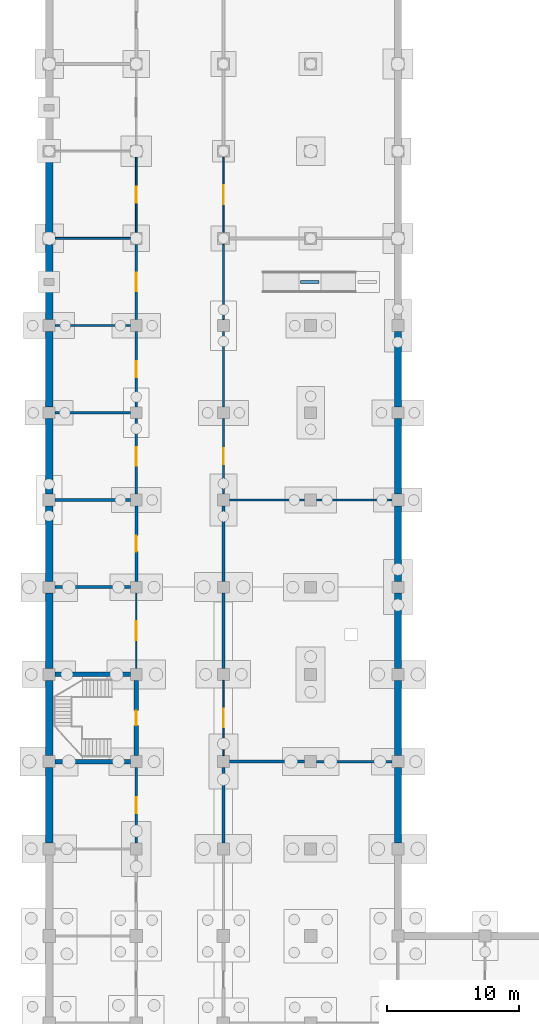
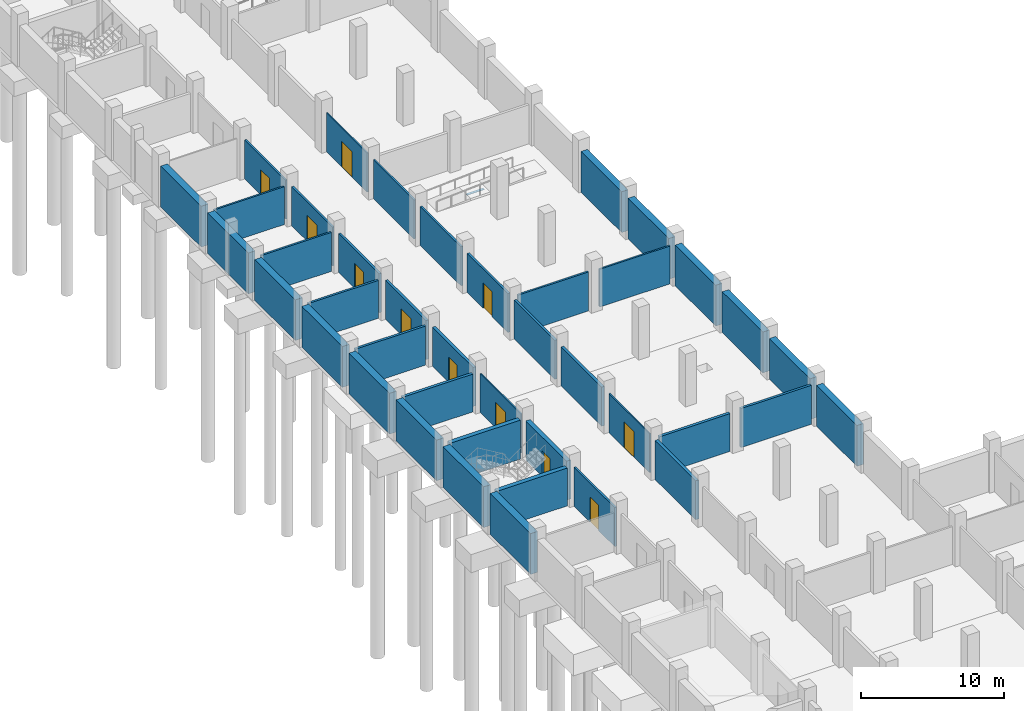
# One storey, part 12 of 18: 42 walls, 11 doors, 11 openings.
"""IFC4 building model written with IfcOpenShell, lengths in metres."""

from ifc_helpers import new_model, si_unit, direction, frame, frame_2d, origin, place, context, subcontext, project, spatial, rectangle, extrude, material, layer, layer_set, type_object, element, fill, save


model = new_model("IFC4")

# Units and contexts
model_context = context("Model", 3, precision=1e-05, world=origin(), true_north=direction((0.0, 1.0)))
body_context = subcontext(model_context, "Body", "Model", "MODEL_VIEW")
ifc_project = project(units=[si_unit("LENGTHUNIT", "METRE"), si_unit("AREAUNIT", "SQUARE_METRE"), si_unit("VOLUMEUNIT", "CUBIC_METRE"), si_unit("PLANEANGLEUNIT", "RADIAN"), si_unit("MASSUNIT", "GRAM", prefix="KILO")], contexts=[model_context])

# Site, building, storey
site_placement = place(None, origin())
site = spatial("IfcSite", under=ifc_project, at=site_placement, CompositionType="ELEMENT")
building_placement = place(site_placement, origin())
building = spatial("IfcBuilding", under=site, at=building_placement, Name="Rusizi Kubbe Research Institute", CompositionType="ELEMENT")
storey_placement = place(building_placement, frame((0.0, 0.0, -4.5)))
storey = spatial("IfcBuildingStorey", under=building, at=storey_placement, Name="B01", CompositionType="ELEMENT", Elevation=-4.5)

# Walls
ifc_material_1 = material(Name="Concrete C45/55", Category="concrete")
ifc_layer_1 = layer(ifc_material_1, 0.35009765625)
ifc_layer_set_1 = layer_set([ifc_layer_1], Name="Concrete C45/55")
wall_type_1 = type_object("IfcWallType", Name="CRW-01", PredefinedType="SHEAR", material=ifc_layer_set_1)
wall_1_placement = place(storey_placement, frame((0.449951171875, 66.0, 0.0), z_axis=(0.0, 0.0, 1.0), x_axis=(1.0, 0.0, 0.0)))
element("IfcWall", 1, at=wall_1_placement, inside=storey, type_object=wall_type_1, Name="Stair Core Shear Wall ST5 B01 S", PredefinedType="SHEAR", context=body_context, shape_type="SweptSolid", body=[
    extrude(rectangle(XDim=5.699951171875, YDim=0.35009765625, at=frame_2d((2.85009765625, 0.0))), origin(), (0.0, 0.0, 1.0), 3.239990234375),
])
wall_2_placement = place(storey_placement, frame((0.449951171875, 72.60009765625, 0.0), z_axis=(0.0, 0.0, 1.0), x_axis=(1.0, 0.0, 0.0)))
element("IfcWall", 2, at=wall_2_placement, inside=storey, type_object=wall_type_1, Name="Stair Core Shear Wall ST5 B01 N", PredefinedType="SHEAR", context=body_context, shape_type="SweptSolid", body=[
    extrude(rectangle(XDim=5.699951171875, YDim=0.35009765625, at=frame_2d((2.85009765625, 0.0))), origin(), (0.0, 0.0, 1.0), 3.340087890625),
])

# Wall, opening, door
wall_3_placement = place(storey_placement, frame((6.60009765625, 66.449951171875, 0.0), z_axis=(0.0, 0.0, 1.0), x_axis=(0.0, 1.0, 0.0)))
wall_3 = element("IfcWall", 3, at=wall_3_placement, inside=storey, type_object=wall_type_1, Name="Stair Core Shear Wall ST5 B01 E", PredefinedType="SHEAR", context=body_context, shape_type="SweptSolid", body=[
    extrude(rectangle(XDim=5.699951171875, YDim=0.35009765625, at=frame_2d((2.85009765625, 0.0))), origin(), (0.0, 0.0, 1.0), 3.340087890625),
])
opening_1_placement = place(wall_3_placement, frame((2.300048828125, 0.0, 0.0)))
opening_1 = element("IfcOpeningElement", 4, at=opening_1_placement, cuts=wall_3, Name="Opening D-01", PredefinedType="OPENING", context=body_context, shape_type="SweptSolid", body=[
    extrude(rectangle(XDim=1.10009765625, YDim=2.14990234375, at=frame_2d((0.550048828125, 1.074951171875))), frame((0.0, 0.18505859375, 0.0), z_axis=(0.0, -1.0, 0.0), x_axis=(1.0, 0.0, 0.0)), (0.0, 0.0, 1.0), 0.3701171875),
])
ifc_material_2 = material(Name="Fire-Rated Steel Frame and Acoustic Timber Leaf", Category="wood")
door_type_1 = type_object("IfcDoorType", Name="ID-STAIR-110", OperationType="NOTDEFINED", PredefinedType="DOOR", material=ifc_material_2)
door_1_placement = place(opening_1_placement, origin())
door_1 = element("IfcDoor", 5, at=door_1_placement, inside=storey, type_object=door_type_1, Name="Exit Stair Door ST5 B01", OperationType="SINGLE_SWING_LEFT", OverallHeight=2.14990234375, OverallWidth=1.10009765625, PredefinedType="DOOR", context=body_context, shape_type="SweptSolid", body=[
    extrude(rectangle(XDim=1.10009765625, YDim=2.14990234375, at=frame_2d((0.550048828125, 1.074951171875))), frame((0.0, 0.02490234375, 0.0), z_axis=(0.0, -1.0, 0.0), x_axis=(1.0, 0.0, 0.0)), (0.0, 0.0, 1.0), 0.050048828125),
])
fill(opening_1, door_1)

# Wall
ifc_material_3 = material(Name="Concrete Blockwork Fire Partition", Category="masonry")
ifc_layer_2 = layer(ifc_material_3, 0.22509765625)
ifc_layer_set_2 = layer_set([ifc_layer_2], Name="Concrete Blockwork Fire Partition")
wall_type_2 = type_object("IfcWallType", Name="IW-01", PredefinedType="PARTITIONING", material=ifc_layer_set_2)
wall_4_placement = place(storey_placement, frame((0.449951171875, 79.199951171875, 0.0), z_axis=(0.0, 0.0, 1.0), x_axis=(1.0, 0.0, 0.0)))
element("IfcWall", 6, at=wall_4_placement, inside=storey, type_object=wall_type_2, Name="Interior Partition Wall B01 H0-12", PredefinedType="PARTITIONING", context=body_context, shape_type="SweptSolid", body=[
    extrude(rectangle(XDim=5.699951171875, YDim=0.22509765625, at=frame_2d((2.85009765625, 0.0))), origin(), (0.0, 0.0, 1.0), 3.239990234375),
])

# Wall, opening, door
wall_5_placement = place(storey_placement, frame((6.60009765625, 79.64990234375, 0.0), z_axis=(0.0, 0.0, 1.0), x_axis=(0.0, 1.0, 0.0)))
wall_5 = element("IfcWall", 7, at=wall_5_placement, inside=storey, type_object=wall_type_2, Name="Interior Partition Wall B01 V1-12", PredefinedType="PARTITIONING", context=body_context, shape_type="SweptSolid", body=[
    extrude(rectangle(XDim=5.7001953125, YDim=0.22509765625, at=frame_2d((2.85009765625, 0.0))), origin(), (0.0, 0.0, 1.0), 3.340087890625),
])
opening_2_placement = place(wall_5_placement, frame((2.239990234375, 0.0, 0.0)))
opening_2 = element("IfcOpeningElement", 8, at=opening_2_placement, cuts=wall_5, Name="Opening D-21", PredefinedType="OPENING", context=body_context, shape_type="SweptSolid", body=[
    extrude(rectangle(XDim=1.219970703125, YDim=2.14990234375, at=frame_2d((0.60986328125, 1.074951171875))), frame((0.0, 0.12255859375, 0.0), z_axis=(0.0, -1.0, 0.0), x_axis=(1.0, 0.0, 0.0)), (0.0, 0.0, 1.0), 0.2451171875),
])
ifc_material_4 = material(Name="Fire-Rated Steel Frame and Acoustic Timber Leaf", Category="wood")
door_type_2 = type_object("IfcDoorType", Name="ID-STR-122", OperationType="NOTDEFINED", PredefinedType="DOOR", material=ifc_material_4)
door_2_placement = place(opening_2_placement, origin())
door_2 = element("IfcDoor", 9, at=door_2_placement, inside=storey, type_object=door_type_2, Name="Door to Sub-Fab Chiller and Pump Plant Room (B01-B01W-12)", OperationType="SINGLE_SWING_RIGHT", OverallHeight=2.14990234375, OverallWidth=1.219970703125, PredefinedType="DOOR", context=body_context, shape_type="SweptSolid", body=[
    extrude(rectangle(XDim=1.219970703125, YDim=2.14990234375, at=frame_2d((0.60986328125, 1.074951171875))), frame((0.0, 0.02490234375, 0.0), z_axis=(0.0, -1.0, 0.0), x_axis=(1.0, 0.0, 0.0)), (0.0, 0.0, 1.0), 0.050048828125),
])
fill(opening_2, door_2)

# Walls
wall_6_placement = place(storey_placement, frame((13.199951171875, 73.050048828125, 0.0), z_axis=(0.0, 0.0, 1.0), x_axis=(0.0, 1.0, 0.0)))
element("IfcWall", 10, at=wall_6_placement, inside=storey, type_object=wall_type_2, Name="Interior Partition Wall B01 V2-11", PredefinedType="PARTITIONING", context=body_context, shape_type="SweptSolid", body=[
    extrude(rectangle(XDim=5.699951171875, YDim=0.22509765625, at=frame_2d((2.85009765625, 0.0))), origin(), (0.0, 0.0, 1.0), 3.340087890625),
])
wall_7_placement = place(storey_placement, frame((13.64990234375, 66.0, 0.0), z_axis=(0.0, 0.0, 1.0), x_axis=(1.0, 0.0, 0.0)))
element("IfcWall", 11, at=wall_7_placement, inside=storey, type_object=wall_type_2, Name="Interior Partition Wall B01 H2-10", PredefinedType="PARTITIONING", context=body_context, shape_type="SweptSolid", body=[
    extrude(rectangle(XDim=5.7001953125, YDim=0.22509765625, at=frame_2d((2.85009765625, 0.0))), origin(), (0.0, 0.0, 1.0), 3.239990234375),
])
ifc_material_5 = material(Name="Insulated Cleanroom Partition", Category="masonry")
ifc_layer_3 = layer(ifc_material_5, 0.195068359375)
ifc_layer_set_3 = layer_set([ifc_layer_3], Name="Insulated Cleanroom Partition")
wall_type_3 = type_object("IfcWallType", Name="IW-02", PredefinedType="PARTITIONING", material=ifc_layer_set_3)
wall_8_placement = place(storey_placement, frame((0.449951171875, 85.800048828125, 0.0), z_axis=(0.0, 0.0, 1.0), x_axis=(1.0, 0.0, 0.0)))
element("IfcWall", 12, at=wall_8_placement, inside=storey, type_object=wall_type_3, Name="Interior Partition Wall B01 H0-13", PredefinedType="PARTITIONING", context=body_context, shape_type="SweptSolid", body=[
    extrude(rectangle(XDim=5.699951171875, YDim=0.195068359375, at=frame_2d((2.85009765625, 0.0))), origin(), (0.0, 0.0, 1.0), 3.340087890625),
])

# Wall, opening, door
wall_9_placement = place(storey_placement, frame((6.60009765625, 86.25, 0.0), z_axis=(0.0, 0.0, 1.0), x_axis=(0.0, 1.0, 0.0)))
wall_9 = element("IfcWall", 13, at=wall_9_placement, inside=storey, type_object=wall_type_3, Name="Interior Partition Wall B01 V1-13", PredefinedType="PARTITIONING", context=body_context, shape_type="SweptSolid", body=[
    extrude(rectangle(XDim=5.699951171875, YDim=0.195068359375, at=frame_2d((2.85009765625, 0.0))), origin(), (0.0, 0.0, 1.0), 3.340087890625),
])
opening_3_placement = place(wall_9_placement, frame((2.139892578125, 0.0, 0.0)))
opening_3 = element("IfcOpeningElement", 14, at=opening_3_placement, cuts=wall_9, Name="Opening D-22", PredefinedType="OPENING", context=body_context, shape_type="SweptSolid", body=[
    extrude(rectangle(XDim=1.419921875, YDim=2.199951171875, at=frame_2d((0.7099609375, 1.10009765625))), frame((0.0, 0.107421875, 0.0), z_axis=(0.0, -1.0, 0.0), x_axis=(1.0, 0.0, 0.0)), (0.0, 0.0, 1.0), 0.215087890625),
])
ifc_material_6 = material(Name="Fire-Rated Steel Frame and Acoustic Timber Leaf", Category="wood")
door_type_3 = type_object("IfcDoorType", Name="ID-STR-142", OperationType="DOUBLE_DOOR_SINGLE_SWING", PredefinedType="DOOR", material=ifc_material_6)
door_3_placement = place(opening_3_placement, origin())
door_3 = element("IfcDoor", 15, at=door_3_placement, inside=storey, type_object=door_type_3, Name="Door to Sub-Fab Chiller and Pump Plant Room (B01-B01W-13)", OperationType="DOUBLE_DOOR_SINGLE_SWING", OverallHeight=2.199951171875, OverallWidth=1.419921875, PredefinedType="DOOR", context=body_context, shape_type="SweptSolid", body=[
    extrude(rectangle(XDim=1.419921875, YDim=2.199951171875, at=frame_2d((0.7099609375, 1.10009765625))), frame((0.0, 0.02490234375, 0.0), z_axis=(0.0, -1.0, 0.0), x_axis=(1.0, 0.0, 0.0)), (0.0, 0.0, 1.0), 0.050048828125),
])
fill(opening_3, door_3)

# Walls
wall_10_placement = place(storey_placement, frame((13.199951171875, 79.64990234375, 0.0), z_axis=(0.0, 0.0, 1.0), x_axis=(0.0, 1.0, 0.0)))
element("IfcWall", 16, at=wall_10_placement, inside=storey, type_object=wall_type_3, Name="Interior Partition Wall B01 V2-12", PredefinedType="PARTITIONING", context=body_context, shape_type="SweptSolid", body=[
    extrude(rectangle(XDim=5.7001953125, YDim=0.195068359375, at=frame_2d((2.85009765625, 0.0))), origin(), (0.0, 0.0, 1.0), 3.340087890625),
])
wall_11_placement = place(storey_placement, frame((20.25, 66.0, 0.0), z_axis=(0.0, 0.0, 1.0), x_axis=(1.0, 0.0, 0.0)))
element("IfcWall", 17, at=wall_11_placement, inside=storey, type_object=wall_type_3, Name="Interior Partition Wall B01 H3-10", PredefinedType="PARTITIONING", context=body_context, shape_type="SweptSolid", body=[
    extrude(rectangle(XDim=5.699951171875, YDim=0.195068359375, at=frame_2d((2.85009765625, 0.0))), origin(), (0.0, 0.0, 1.0), 3.340087890625),
])
ifc_material_7 = material(Name="Acoustic Laboratory Partition", Category="masonry")
ifc_layer_4 = layer(ifc_material_7, 0.175048828125)
ifc_layer_set_4 = layer_set([ifc_layer_4], Name="Acoustic Laboratory Partition")
wall_type_4 = type_object("IfcWallType", Name="IW-03", PredefinedType="PARTITIONING", material=ifc_layer_set_4)
wall_12_placement = place(storey_placement, frame((0.449951171875, 92.39990234375, 0.0), z_axis=(0.0, 0.0, 1.0), x_axis=(1.0, 0.0, 0.0)))
element("IfcWall", 18, at=wall_12_placement, inside=storey, type_object=wall_type_4, Name="Interior Partition Wall B01 H0-14", PredefinedType="PARTITIONING", context=body_context, shape_type="SweptSolid", body=[
    extrude(rectangle(XDim=5.699951171875, YDim=0.175048828125, at=frame_2d((2.85009765625, 0.0))), origin(), (0.0, 0.0, 1.0), 3.239990234375),
])

# Wall, opening, door
wall_13_placement = place(storey_placement, frame((6.60009765625, 92.85009765625, 0.0), z_axis=(0.0, 0.0, 1.0), x_axis=(0.0, 1.0, 0.0)))
wall_13 = element("IfcWall", 19, at=wall_13_placement, inside=storey, type_object=wall_type_4, Name="Interior Partition Wall B01 V1-14", PredefinedType="PARTITIONING", context=body_context, shape_type="SweptSolid", body=[
    extrude(rectangle(XDim=5.699951171875, YDim=0.175048828125, at=frame_2d((2.85009765625, 0.0))), origin(), (0.0, 0.0, 1.0), 3.340087890625),
])
opening_4_placement = place(wall_13_placement, frame((2.239990234375, 0.0, 0.0)))
opening_4 = element("IfcOpeningElement", 20, at=opening_4_placement, cuts=wall_13, Name="Opening D-21", PredefinedType="OPENING", context=body_context, shape_type="SweptSolid", body=[
    extrude(rectangle(XDim=1.219970703125, YDim=2.14990234375, at=frame_2d((0.60986328125, 1.074951171875))), frame((0.0, 0.097412109375, 0.0), z_axis=(0.0, -1.0, 0.0), x_axis=(1.0, 0.0, 0.0)), (0.0, 0.0, 1.0), 0.195068359375),
])
door_4_placement = place(opening_4_placement, origin())
door_4 = element("IfcDoor", 21, at=door_4_placement, inside=storey, type_object=door_type_2, Name="Door to Staff and Accessible Parking Zone (B01-B01W-14)", OperationType="SINGLE_SWING_RIGHT", OverallHeight=2.14990234375, OverallWidth=1.219970703125, PredefinedType="DOOR", context=body_context, shape_type="SweptSolid", body=[
    extrude(rectangle(XDim=1.219970703125, YDim=2.14990234375, at=frame_2d((0.60986328125, 1.074951171875))), frame((0.0, 0.02490234375, 0.0), z_axis=(0.0, -1.0, 0.0), x_axis=(1.0, 0.0, 0.0)), (0.0, 0.0, 1.0), 0.050048828125),
])
fill(opening_4, door_4)

wall_14_placement = place(storey_placement, frame((13.199951171875, 86.25, 0.0), z_axis=(0.0, 0.0, 1.0), x_axis=(0.0, 1.0, 0.0)))
wall_14 = element("IfcWall", 22, at=wall_14_placement, inside=storey, type_object=wall_type_4, Name="Interior Partition Wall B01 V2-13", PredefinedType="PARTITIONING", context=body_context, shape_type="SweptSolid", body=[
    extrude(rectangle(XDim=5.699951171875, YDim=0.175048828125, at=frame_2d((2.85009765625, 0.0))), origin(), (0.0, 0.0, 1.0), 3.340087890625),
])
opening_5_placement = place(wall_14_placement, frame((2.239990234375, 0.0, 0.0)))
opening_5 = element("IfcOpeningElement", 23, at=opening_5_placement, cuts=wall_14, Name="Opening D-21", PredefinedType="OPENING", context=body_context, shape_type="SweptSolid", body=[
    extrude(rectangle(XDim=1.219970703125, YDim=2.14990234375, at=frame_2d((0.60986328125, 1.074951171875))), frame((0.0, 0.097412109375, 0.0), z_axis=(0.0, -1.0, 0.0), x_axis=(1.0, 0.0, 0.0)), (0.0, 0.0, 1.0), 0.195068359375),
])
door_5_placement = place(opening_5_placement, origin())
door_5 = element("IfcDoor", 24, at=door_5_placement, inside=storey, type_object=door_type_2, Name="Door to Basement Vehicle Parking Hall (B01-NW-05)", OperationType="SINGLE_SWING_RIGHT", OverallHeight=2.14990234375, OverallWidth=1.219970703125, PredefinedType="DOOR", context=body_context, shape_type="SweptSolid", body=[
    extrude(rectangle(XDim=1.219970703125, YDim=2.14990234375, at=frame_2d((0.60986328125, 1.074951171875))), frame((0.0, 0.02490234375, 0.0), z_axis=(0.0, -1.0, 0.0), x_axis=(1.0, 0.0, 0.0)), (0.0, 0.0, 1.0), 0.050048828125),
])
fill(opening_5, door_5)

ifc_material_8 = material(Name="Fire-Rated Corridor Partition", Category="masonry")
ifc_layer_5 = layer(ifc_material_8, 0.155029296875)
ifc_layer_set_5 = layer_set([ifc_layer_5], Name="Fire-Rated Corridor Partition")
wall_type_5 = type_object("IfcWallType", Name="IW-04", PredefinedType="PARTITIONING", material=ifc_layer_set_5)
wall_15_placement = place(storey_placement, frame((6.60009765625, 59.85009765625, 0.0), z_axis=(0.0, 0.0, 1.0), x_axis=(0.0, 1.0, 0.0)))
wall_15 = element("IfcWall", 25, at=wall_15_placement, inside=storey, type_object=wall_type_5, Name="Interior Partition Wall B01 V1-9", PredefinedType="PARTITIONING", context=body_context, shape_type="SweptSolid", body=[
    extrude(rectangle(XDim=5.699951171875, YDim=0.155029296875, at=frame_2d((2.85009765625, 0.0))), origin(), (0.0, 0.0, 1.0), 3.340087890625),
])
opening_6_placement = place(wall_15_placement, frame((2.239990234375, 0.0, 0.0)))
opening_6 = element("IfcOpeningElement", 26, at=opening_6_placement, cuts=wall_15, Name="Opening D-21", PredefinedType="OPENING", context=body_context, shape_type="SweptSolid", body=[
    extrude(rectangle(XDim=1.219970703125, YDim=2.14990234375, at=frame_2d((0.60986328125, 1.074951171875))), frame((0.0, 0.08740234375, 0.0), z_axis=(0.0, -1.0, 0.0), x_axis=(1.0, 0.0, 0.0)), (0.0, 0.0, 1.0), 0.175048828125),
])
door_6_placement = place(opening_6_placement, origin())
door_6 = element("IfcDoor", 27, at=door_6_placement, inside=storey, type_object=door_type_2, Name="Door to Sub-Fab Chiller and Pump Plant Room (B01-B01W-09)", OperationType="SINGLE_SWING_RIGHT", OverallHeight=2.14990234375, OverallWidth=1.219970703125, PredefinedType="DOOR", context=body_context, shape_type="SweptSolid", body=[
    extrude(rectangle(XDim=1.219970703125, YDim=2.14990234375, at=frame_2d((0.60986328125, 1.074951171875))), frame((0.0, 0.02490234375, 0.0), z_axis=(0.0, -1.0, 0.0), x_axis=(1.0, 0.0, 0.0)), (0.0, 0.0, 1.0), 0.050048828125),
])
fill(opening_6, door_6)

# Wall
wall_16_placement = place(storey_placement, frame((0.449951171875, 99.0, 0.0), z_axis=(0.0, 0.0, 1.0), x_axis=(1.0, 0.0, 0.0)))
element("IfcWall", 28, at=wall_16_placement, inside=storey, type_object=wall_type_5, Name="Interior Partition Wall B01 H0-15", PredefinedType="PARTITIONING", context=body_context, shape_type="SweptSolid", body=[
    extrude(rectangle(XDim=5.699951171875, YDim=0.155029296875, at=frame_2d((2.85009765625, 0.0))), origin(), (0.0, 0.0, 1.0), 3.340087890625),
])

# Wall, opening, door
wall_17_placement = place(storey_placement, frame((6.60009765625, 99.449951171875, 0.0), z_axis=(0.0, 0.0, 1.0), x_axis=(0.0, 1.0, 0.0)))
wall_17 = element("IfcWall", 29, at=wall_17_placement, inside=storey, type_object=wall_type_5, Name="Interior Partition Wall B01 V1-15", PredefinedType="PARTITIONING", context=body_context, shape_type="SweptSolid", body=[
    extrude(rectangle(XDim=5.699951171875, YDim=0.155029296875, at=frame_2d((2.85009765625, 0.0))), origin(), (0.0, 0.0, 1.0), 3.340087890625),
])
opening_7_placement = place(wall_17_placement, frame((2.139892578125, 0.0, 0.0)))
opening_7 = element("IfcOpeningElement", 30, at=opening_7_placement, cuts=wall_17, Name="Opening D-22", PredefinedType="OPENING", context=body_context, shape_type="SweptSolid", body=[
    extrude(rectangle(XDim=1.419921875, YDim=2.199951171875, at=frame_2d((0.7099609375, 1.10009765625))), frame((0.0, 0.08740234375, 0.0), z_axis=(0.0, -1.0, 0.0), x_axis=(1.0, 0.0, 0.0)), (0.0, 0.0, 1.0), 0.175048828125),
])
door_7_placement = place(opening_7_placement, origin())
door_7 = element("IfcDoor", 31, at=door_7_placement, inside=storey, type_object=door_type_3, Name="Door to Staff and Accessible Parking Zone (B01-B01W-15)", OperationType="DOUBLE_DOOR_SINGLE_SWING", OverallHeight=2.199951171875, OverallWidth=1.419921875, PredefinedType="DOOR", context=body_context, shape_type="SweptSolid", body=[
    extrude(rectangle(XDim=1.419921875, YDim=2.199951171875, at=frame_2d((0.7099609375, 1.10009765625))), frame((0.0, 0.02490234375, 0.0), z_axis=(0.0, -1.0, 0.0), x_axis=(1.0, 0.0, 0.0)), (0.0, 0.0, 1.0), 0.050048828125),
])
fill(opening_7, door_7)

# Walls
wall_18_placement = place(storey_placement, frame((13.199951171875, 92.85009765625, 0.0), z_axis=(0.0, 0.0, 1.0), x_axis=(0.0, 1.0, 0.0)))
element("IfcWall", 32, at=wall_18_placement, inside=storey, type_object=wall_type_5, Name="Interior Partition Wall B01 V2-14", PredefinedType="PARTITIONING", context=body_context, shape_type="SweptSolid", body=[
    extrude(rectangle(XDim=5.699951171875, YDim=0.155029296875, at=frame_2d((2.85009765625, 0.0))), origin(), (0.0, 0.0, 1.0), 3.340087890625),
])
wall_19_placement = place(storey_placement, frame((13.64990234375, 85.800048828125, 0.0), z_axis=(0.0, 0.0, 1.0), x_axis=(1.0, 0.0, 0.0)))
element("IfcWall", 33, at=wall_19_placement, inside=storey, type_object=wall_type_5, Name="Interior Partition Wall B01 H2-13", PredefinedType="PARTITIONING", context=body_context, shape_type="SweptSolid", body=[
    extrude(rectangle(XDim=5.7001953125, YDim=0.155029296875, at=frame_2d((2.85009765625, 0.0))), origin(), (0.0, 0.0, 1.0), 3.340087890625),
])
ifc_material_9 = material(Name="Write-up Glazed Acoustic Partition", Category="masonry")
ifc_layer_6 = layer(ifc_material_9, 0.139892578125)
ifc_layer_set_6 = layer_set([ifc_layer_6], Name="Write-up Glazed Acoustic Partition")
wall_type_6 = type_object("IfcWallType", Name="IW-05", PredefinedType="PARTITIONING", material=ifc_layer_set_6)
wall_20_placement = place(storey_placement, frame((0.449951171875, 105.60009765625, 0.0), z_axis=(0.0, 0.0, 1.0), x_axis=(1.0, 0.0, 0.0)))
element("IfcWall", 34, at=wall_20_placement, inside=storey, type_object=wall_type_6, Name="Interior Partition Wall B01 H0-16", PredefinedType="PARTITIONING", context=body_context, shape_type="SweptSolid", body=[
    extrude(rectangle(XDim=5.699951171875, YDim=0.139892578125, at=frame_2d((2.85009765625, 0.0))), origin(), (0.0, 0.0, 1.0), 3.239990234375),
])

# Wall, opening, door
wall_21_placement = place(storey_placement, frame((6.60009765625, 106.050048828125, 0.0), z_axis=(0.0, 0.0, 1.0), x_axis=(0.0, 1.0, 0.0)))
wall_21 = element("IfcWall", 35, at=wall_21_placement, inside=storey, type_object=wall_type_6, Name="Interior Partition Wall B01 V1-16", PredefinedType="PARTITIONING", context=body_context, shape_type="SweptSolid", body=[
    extrude(rectangle(XDim=5.699951171875, YDim=0.139892578125, at=frame_2d((2.85009765625, 0.0))), origin(), (0.0, 0.0, 1.0), 3.340087890625),
])
opening_8_placement = place(wall_21_placement, frame((2.239990234375, 0.0, 0.0)))
opening_8 = element("IfcOpeningElement", 36, at=opening_8_placement, cuts=wall_21, Name="Opening D-21", PredefinedType="OPENING", context=body_context, shape_type="SweptSolid", body=[
    extrude(rectangle(XDim=1.219970703125, YDim=2.14990234375, at=frame_2d((0.60986328125, 1.074951171875))), frame((0.0, 0.079833984375, 0.0), z_axis=(0.0, -1.0, 0.0), x_axis=(1.0, 0.0, 0.0)), (0.0, 0.0, 1.0), 0.159912109375),
])
door_8_placement = place(opening_8_placement, origin())
door_8 = element("IfcDoor", 37, at=door_8_placement, inside=storey, type_object=door_type_2, Name="Door to Staff and Accessible Parking Zone (B01-B01W-16)", OperationType="SINGLE_SWING_RIGHT", OverallHeight=2.14990234375, OverallWidth=1.219970703125, PredefinedType="DOOR", context=body_context, shape_type="SweptSolid", body=[
    extrude(rectangle(XDim=1.219970703125, YDim=2.14990234375, at=frame_2d((0.60986328125, 1.074951171875))), frame((0.0, 0.02490234375, 0.0), z_axis=(0.0, -1.0, 0.0), x_axis=(1.0, 0.0, 0.0)), (0.0, 0.0, 1.0), 0.050048828125),
])
fill(opening_8, door_8)

# Walls
wall_22_placement = place(storey_placement, frame((13.199951171875, 99.449951171875, 0.0), z_axis=(0.0, 0.0, 1.0), x_axis=(0.0, 1.0, 0.0)))
element("IfcWall", 38, at=wall_22_placement, inside=storey, type_object=wall_type_6, Name="Interior Partition Wall B01 V2-15", PredefinedType="PARTITIONING", context=body_context, shape_type="SweptSolid", body=[
    extrude(rectangle(XDim=5.699951171875, YDim=0.139892578125, at=frame_2d((2.85009765625, 0.0))), origin(), (0.0, 0.0, 1.0), 3.340087890625),
])
wall_23_placement = place(storey_placement, frame((20.25, 85.800048828125, 0.0), z_axis=(0.0, 0.0, 1.0), x_axis=(1.0, 0.0, 0.0)))
element("IfcWall", 39, at=wall_23_placement, inside=storey, type_object=wall_type_6, Name="Interior Partition Wall B01 H3-13", PredefinedType="PARTITIONING", context=body_context, shape_type="SweptSolid", body=[
    extrude(rectangle(XDim=5.699951171875, YDim=0.139892578125, at=frame_2d((2.85009765625, 0.0))), origin(), (0.0, 0.0, 1.0), 3.239990234375),
])

# Wall, opening, door
ifc_material_10 = material(Name="Sub-Suite Fire Partition", Category="masonry")
ifc_layer_7 = layer(ifc_material_10, 0.110107421875)
ifc_layer_set_7 = layer_set([ifc_layer_7], Name="Sub-Suite Fire Partition")
wall_type_7 = type_object("IfcWallType", Name="IW-07", PredefinedType="PARTITIONING", material=ifc_layer_set_7)
wall_24_placement = place(storey_placement, frame((6.60009765625, 73.050048828125, 0.0), z_axis=(0.0, 0.0, 1.0), x_axis=(0.0, 1.0, 0.0)))
wall_24 = element("IfcWall", 40, at=wall_24_placement, inside=storey, type_object=wall_type_7, Name="Interior Partition Wall B01 V1-11", PredefinedType="PARTITIONING", context=body_context, shape_type="SweptSolid", body=[
    extrude(rectangle(XDim=5.699951171875, YDim=0.110107421875, at=frame_2d((2.85009765625, 0.0))), origin(), (0.0, 0.0, 1.0), 3.340087890625),
])
opening_9_placement = place(wall_24_placement, frame((2.139892578125, 0.0, 0.0)))
opening_9 = element("IfcOpeningElement", 41, at=opening_9_placement, cuts=wall_24, Name="Opening D-22", PredefinedType="OPENING", context=body_context, shape_type="SweptSolid", body=[
    extrude(rectangle(XDim=1.419921875, YDim=2.199951171875, at=frame_2d((0.7099609375, 1.10009765625))), frame((0.0, 0.06494140625, 0.0), z_axis=(0.0, -1.0, 0.0), x_axis=(1.0, 0.0, 0.0)), (0.0, 0.0, 1.0), 0.130126953125),
])
door_9_placement = place(opening_9_placement, origin())
door_9 = element("IfcDoor", 42, at=door_9_placement, inside=storey, type_object=door_type_3, Name="Door to Sub-Fab Chiller and Pump Plant Room (B01-B01W-11)", OperationType="DOUBLE_DOOR_SINGLE_SWING", OverallHeight=2.199951171875, OverallWidth=1.419921875, PredefinedType="DOOR", context=body_context, shape_type="SweptSolid", body=[
    extrude(rectangle(XDim=1.419921875, YDim=2.199951171875, at=frame_2d((0.7099609375, 1.10009765625))), frame((0.0, 0.02490234375, 0.0), z_axis=(0.0, -1.0, 0.0), x_axis=(1.0, 0.0, 0.0)), (0.0, 0.0, 1.0), 0.050048828125),
])
fill(opening_9, door_9)

wall_25_placement = place(storey_placement, frame((13.199951171875, 66.449951171875, 0.0), z_axis=(0.0, 0.0, 1.0), x_axis=(0.0, 1.0, 0.0)))
wall_25 = element("IfcWall", 43, at=wall_25_placement, inside=storey, type_object=wall_type_7, Name="Interior Partition Wall B01 V2-10", PredefinedType="PARTITIONING", context=body_context, shape_type="SweptSolid", body=[
    extrude(rectangle(XDim=5.699951171875, YDim=0.110107421875, at=frame_2d((2.85009765625, 0.0))), origin(), (0.0, 0.0, 1.0), 3.340087890625),
])
opening_10_placement = place(wall_25_placement, frame((2.139892578125, 0.0, 0.0)))
opening_10 = element("IfcOpeningElement", 44, at=opening_10_placement, cuts=wall_25, Name="Opening D-22", PredefinedType="OPENING", context=body_context, shape_type="SweptSolid", body=[
    extrude(rectangle(XDim=1.419921875, YDim=2.199951171875, at=frame_2d((0.7099609375, 1.10009765625))), frame((0.0, 0.06494140625, 0.0), z_axis=(0.0, -1.0, 0.0), x_axis=(1.0, 0.0, 0.0)), (0.0, 0.0, 1.0), 0.130126953125),
])
door_10_placement = place(opening_10_placement, origin())
door_10 = element("IfcDoor", 45, at=door_10_placement, inside=storey, type_object=door_type_3, Name="Door to Basement Vehicle Parking Hall (B01-NW-04)", OperationType="DOUBLE_DOOR_SINGLE_SWING", OverallHeight=2.199951171875, OverallWidth=1.419921875, PredefinedType="DOOR", context=body_context, shape_type="SweptSolid", body=[
    extrude(rectangle(XDim=1.419921875, YDim=2.199951171875, at=frame_2d((0.7099609375, 1.10009765625))), frame((0.0, 0.02490234375, 0.0), z_axis=(0.0, -1.0, 0.0), x_axis=(1.0, 0.0, 0.0)), (0.0, 0.0, 1.0), 0.050048828125),
])
fill(opening_10, door_10)

wall_26_placement = place(storey_placement, frame((13.199951171875, 106.050048828125, 0.0), z_axis=(0.0, 0.0, 1.0), x_axis=(0.0, 1.0, 0.0)))
wall_26 = element("IfcWall", 46, at=wall_26_placement, inside=storey, type_object=wall_type_7, Name="Interior Partition Wall B01 V2-16", PredefinedType="PARTITIONING", context=body_context, shape_type="SweptSolid", body=[
    extrude(rectangle(XDim=5.699951171875, YDim=0.110107421875, at=frame_2d((2.85009765625, 0.0))), origin(), (0.0, 0.0, 1.0), 3.340087890625),
])
opening_11_placement = place(wall_26_placement, frame((2.139892578125, 0.0, 0.0)))
opening_11 = element("IfcOpeningElement", 47, at=opening_11_placement, cuts=wall_26, Name="Opening D-22", PredefinedType="OPENING", context=body_context, shape_type="SweptSolid", body=[
    extrude(rectangle(XDim=1.419921875, YDim=2.199951171875, at=frame_2d((0.7099609375, 1.10009765625))), frame((0.0, 0.06494140625, 0.0), z_axis=(0.0, -1.0, 0.0), x_axis=(1.0, 0.0, 0.0)), (0.0, 0.0, 1.0), 0.130126953125),
])
door_11_placement = place(opening_11_placement, origin())
door_11 = element("IfcDoor", 48, at=door_11_placement, inside=storey, type_object=door_type_3, Name="Door to Basement Vehicle Parking Hall (B01-NW-06)", OperationType="DOUBLE_DOOR_SINGLE_SWING", OverallHeight=2.199951171875, OverallWidth=1.419921875, PredefinedType="DOOR", context=body_context, shape_type="SweptSolid", body=[
    extrude(rectangle(XDim=1.419921875, YDim=2.199951171875, at=frame_2d((0.7099609375, 1.10009765625))), frame((0.0, 0.02490234375, 0.0), z_axis=(0.0, -1.0, 0.0), x_axis=(1.0, 0.0, 0.0)), (0.0, 0.0, 1.0), 0.050048828125),
])
fill(opening_11, door_11)

# Walls
ifc_material_11 = material(Name="Concrete C45/55", Category="concrete")
ifc_layer_8 = layer(ifc_material_11, 0.56005859375)
ifc_layer_set_8 = layer_set([ifc_layer_8], Name="Concrete C45/55")
wall_type_8 = type_object("IfcWallType", Name="RW-01", PredefinedType="USERDEFINED", material=ifc_layer_set_8)
for number, where, z_axis, x_axis, name in (
    (49, (0.0, 59.85009765625, 0.0), (0.0, 0.0, 1.0), (0.0, 1.0, 0.0), "Basement Retaining Wall B01 V0-9"),
    (50, (0.0, 66.449951171875, 0.0), (0.0, 0.0, 1.0), (0.0, 1.0, 0.0), "Basement Retaining Wall B01 V0-10"),
    (51, (0.0, 73.050048828125, 0.0), (0.0, 0.0, 1.0), (0.0, 1.0, 0.0), "Basement Retaining Wall B01 V0-11"),
):
    element("IfcWall", number, at=place(storey_placement, frame(where, z_axis=z_axis, x_axis=x_axis)), inside=storey, type_object=wall_type_8, Name=name, ObjectType="RETAINING WALL", PredefinedType="USERDEFINED", context=body_context, shape_type="SweptSolid", body=[
        extrude(rectangle(XDim=5.699951171875, YDim=0.56005859375, at=frame_2d((2.85009765625, 0.0))), origin(), (0.0, 0.0, 1.0), 3.489990234375),
    ])
wall_27_placement = place(storey_placement, frame((0.0, 79.64990234375, 0.0), z_axis=(0.0, 0.0, 1.0), x_axis=(0.0, 1.0, 0.0)))
element("IfcWall", 52, at=wall_27_placement, inside=storey, type_object=wall_type_8, Name="Basement Retaining Wall B01 V0-12", ObjectType="RETAINING WALL", PredefinedType="USERDEFINED", context=body_context, shape_type="SweptSolid", body=[
    extrude(rectangle(XDim=5.7001953125, YDim=0.56005859375, at=frame_2d((2.85009765625, 0.0))), origin(), (0.0, 0.0, 1.0), 3.489990234375),
])
for number, where, z_axis, x_axis, name in (
    (53, (0.0, 86.25, 0.0), (0.0, 0.0, 1.0), (0.0, 1.0, 0.0), "Basement Retaining Wall B01 V0-13"),
    (54, (0.0, 92.85009765625, 0.0), (0.0, 0.0, 1.0), (0.0, 1.0, 0.0), "Basement Retaining Wall B01 V0-14"),
    (55, (0.0, 99.449951171875, 0.0), (0.0, 0.0, 1.0), (0.0, 1.0, 0.0), "Basement Retaining Wall B01 V0-15"),
    (56, (0.0, 106.050048828125, 0.0), (0.0, 0.0, 1.0), (0.0, 1.0, 0.0), "Basement Retaining Wall B01 V0-16"),
):
    element("IfcWall", number, at=place(storey_placement, frame(where, z_axis=z_axis, x_axis=x_axis)), inside=storey, type_object=wall_type_8, Name=name, ObjectType="RETAINING WALL", PredefinedType="USERDEFINED", context=body_context, shape_type="SweptSolid", body=[
        extrude(rectangle(XDim=5.699951171875, YDim=0.56005859375, at=frame_2d((2.85009765625, 0.0))), origin(), (0.0, 0.0, 1.0), 3.489990234375),
    ])
ifc_material_12 = material(Name="Concrete C45/55", Category="concrete")
ifc_layer_9 = layer(ifc_material_12, 0.52001953125)
ifc_layer_set_9 = layer_set([ifc_layer_9], Name="Concrete C45/55")
wall_type_9 = type_object("IfcWallType", Name="RW-02", PredefinedType="USERDEFINED", material=ifc_layer_set_9)
for number, where, z_axis, x_axis, name in (
    (57, (26.39990234375, 59.85009765625, 0.0), (0.0, 0.0, 1.0), (0.0, 1.0, 0.0), "Basement Retaining Wall B01 V4-9"),
    (58, (26.39990234375, 66.449951171875, 0.0), (0.0, 0.0, 1.0), (0.0, 1.0, 0.0), "Basement Retaining Wall B01 V4-10"),
    (59, (26.39990234375, 73.050048828125, 0.0), (0.0, 0.0, 1.0), (0.0, 1.0, 0.0), "Basement Retaining Wall B01 V4-11"),
):
    element("IfcWall", number, at=place(storey_placement, frame(where, z_axis=z_axis, x_axis=x_axis)), inside=storey, type_object=wall_type_9, Name=name, ObjectType="RETAINING WALL", PredefinedType="USERDEFINED", context=body_context, shape_type="SweptSolid", body=[
        extrude(rectangle(XDim=5.699951171875, YDim=0.52001953125, at=frame_2d((2.85009765625, 0.0))), origin(), (0.0, 0.0, 1.0), 3.489990234375),
    ])
wall_28_placement = place(storey_placement, frame((26.39990234375, 79.64990234375, 0.0), z_axis=(0.0, 0.0, 1.0), x_axis=(0.0, 1.0, 0.0)))
element("IfcWall", 60, at=wall_28_placement, inside=storey, type_object=wall_type_9, Name="Basement Retaining Wall B01 V4-12", ObjectType="RETAINING WALL", PredefinedType="USERDEFINED", context=body_context, shape_type="SweptSolid", body=[
    extrude(rectangle(XDim=5.7001953125, YDim=0.52001953125, at=frame_2d((2.85009765625, 0.0))), origin(), (0.0, 0.0, 1.0), 3.489990234375),
])
for number, where, z_axis, x_axis, name in (
    (61, (26.39990234375, 86.25, 0.0), (0.0, 0.0, 1.0), (0.0, 1.0, 0.0), "Basement Retaining Wall B01 V4-13"),
    (62, (26.39990234375, 92.85009765625, 0.0), (0.0, 0.0, 1.0), (0.0, 1.0, 0.0), "Basement Retaining Wall B01 V4-14"),
):
    element("IfcWall", number, at=place(storey_placement, frame(where, z_axis=z_axis, x_axis=x_axis)), inside=storey, type_object=wall_type_9, Name=name, ObjectType="RETAINING WALL", PredefinedType="USERDEFINED", context=body_context, shape_type="SweptSolid", body=[
        extrude(rectangle(XDim=5.699951171875, YDim=0.52001953125, at=frame_2d((2.85009765625, 0.0))), origin(), (0.0, 0.0, 1.0), 3.489990234375),
    ])
ifc_material_13 = material(Name="Concrete C40/50", Category="concrete")
ifc_layer_10 = layer(ifc_material_13, 0.2099609375)
ifc_layer_set_10 = layer_set([ifc_layer_10], Name="Concrete C40/50")
wall_type_10 = type_object("IfcWallType", Name="RW-ISTEP210", PredefinedType="SOLIDWALL", material=ifc_layer_set_10)
wall_29_placement = place(storey_placement, frame((19.0400390625, 102.300048828125, 0.0), z_axis=(0.0, 0.0, 1.0), x_axis=(1.0, 0.0, 0.0)))
element("IfcWall", 63, at=wall_29_placement, inside=storey, type_object=wall_type_10, Name="Ramp Plinth Bearing Wall RAMP-B01-01-1", PredefinedType="SOLIDWALL", context=body_context, shape_type="SweptSolid", body=[
    extrude(rectangle(XDim=1.39990234375, YDim=0.2099609375, at=frame_2d((0.699951171875, 0.0))), origin(), (0.0, 0.0, 1.0), 0.030029296875),
])
ifc_material_14 = material(Name="Concrete C40/50", Category="concrete")
ifc_layer_11 = layer(ifc_material_14, 0.2548828125)
ifc_layer_set_11 = layer_set([ifc_layer_11], Name="Concrete C40/50")
wall_type_11 = type_object("IfcWallType", Name="SHW-02", PredefinedType="SHEAR", material=ifc_layer_set_11)
wall_30_placement = place(storey_placement, frame((13.199951171875, 59.85009765625, 0.0), z_axis=(0.0, 0.0, 1.0), x_axis=(0.0, 1.0, 0.0)))
element("IfcWall", 64, at=wall_30_placement, inside=storey, type_object=wall_type_11, Name="Interior Partition Wall B01 V2-9", PredefinedType="SHEAR", context=body_context, shape_type="SweptSolid", body=[
    extrude(rectangle(XDim=5.699951171875, YDim=0.2548828125, at=frame_2d((2.85009765625, 0.0))), origin(), (0.0, 0.0, 1.0), 3.340087890625),
])

save(model, "model.ifc")
